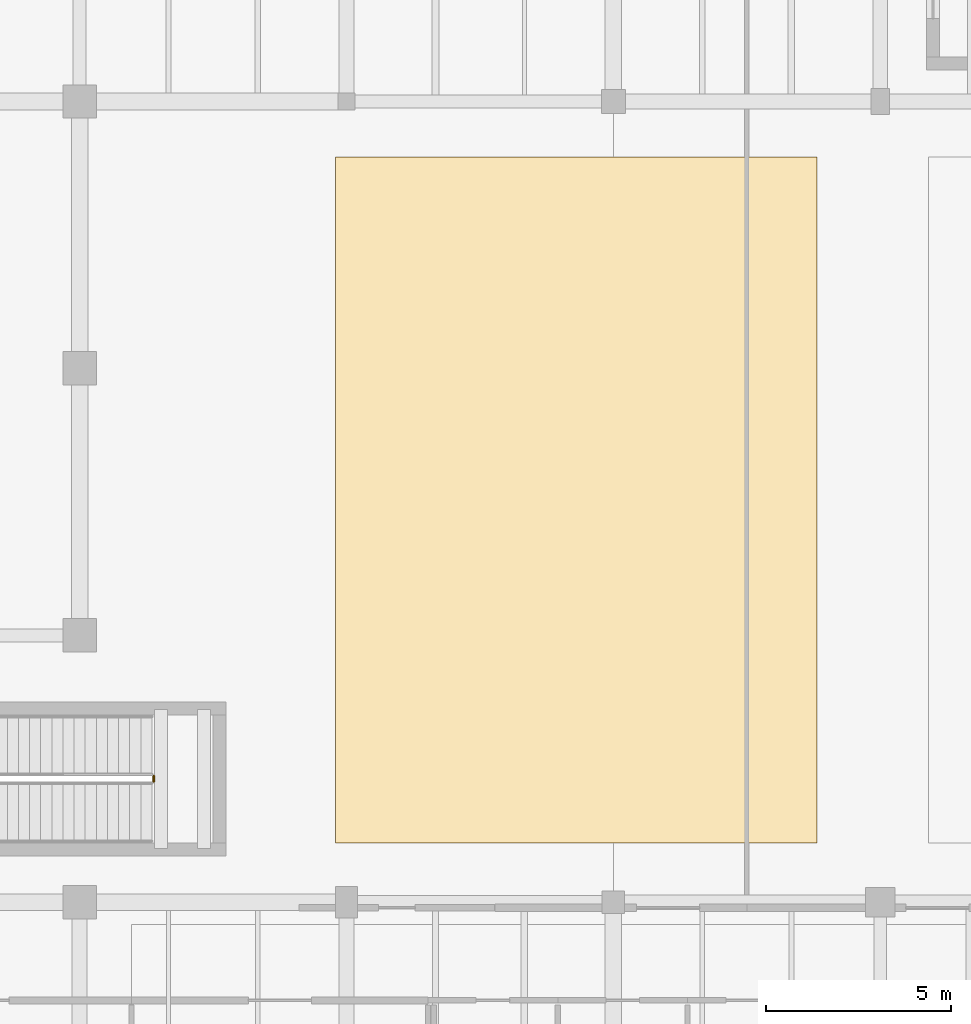
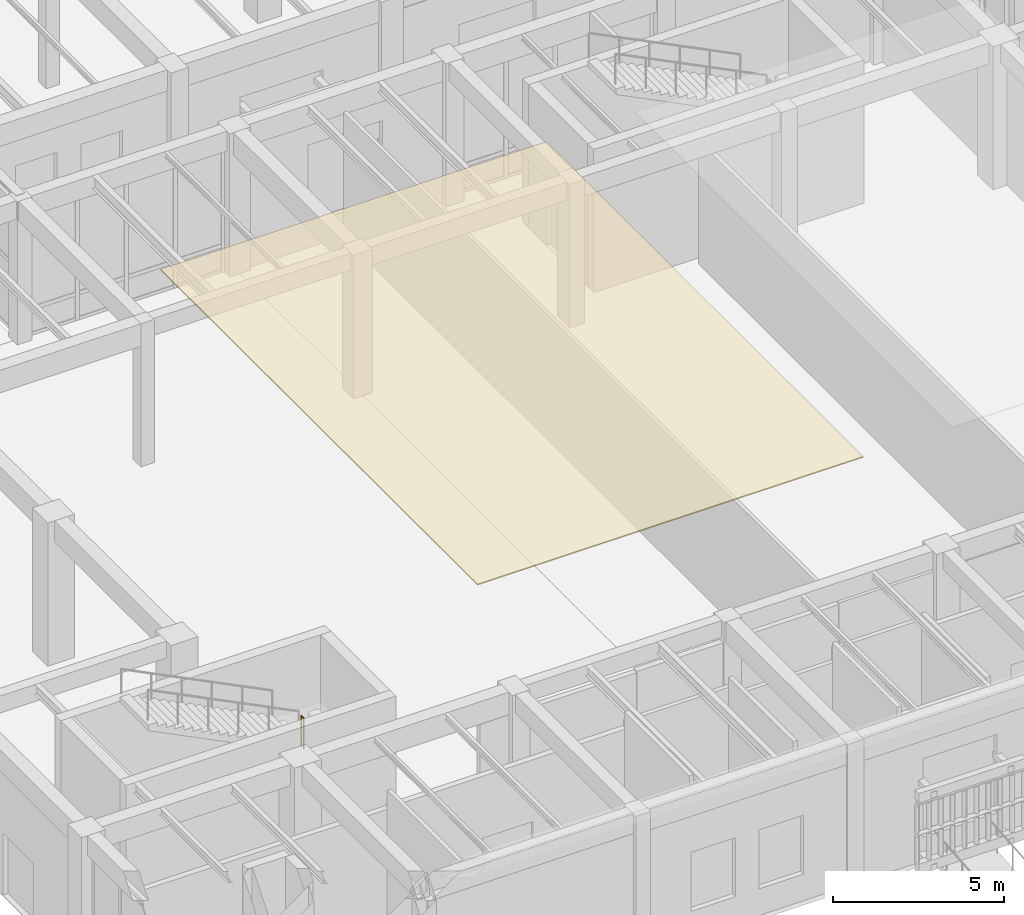
# One storey, part 160 of 169: 1 covering, 1 railing.
"""IFC4 building model written with IfcOpenShell, lengths in metres."""

from ifc_helpers import new_model, si_unit, direction, frame, origin, origin_2d, place, context, subcontext, project, spatial, polyline, circle, outline, extrude, material, layer, layer_set, type_object, element, save


model = new_model("IFC4")

# Units and contexts
model_context = context("Model", 3, precision=1e-05, world=origin(), true_north=direction((0.0, 1.0)))
body_context = subcontext(model_context, "Body", "Model", "MODEL_VIEW")
ifc_project = project(units=[si_unit("LENGTHUNIT", "METRE"), si_unit("AREAUNIT", "SQUARE_METRE"), si_unit("VOLUMEUNIT", "CUBIC_METRE"), si_unit("PLANEANGLEUNIT", "RADIAN"), si_unit("MASSUNIT", "GRAM", prefix="KILO")], contexts=[model_context])

# Site, building, storey
site_placement = place(None, origin())
site = spatial("IfcSite", under=ifc_project, at=site_placement, CompositionType="ELEMENT")
building_placement = place(site_placement, origin())
building = spatial("IfcBuilding", under=site, at=building_placement, Name="Mazaris Harbour Polytechnic", CompositionType="ELEMENT")
storey_placement = place(building_placement, origin())
storey = spatial("IfcBuildingStorey", under=building, at=storey_placement, Name="L00", CompositionType="ELEMENT", Elevation=0.0)

# Covering
ifc_material_1 = material(Name="Glulam Acoustic Timber Slat", Category="wood")
ifc_layer = layer(ifc_material_1, 0.0400390625, Name="Glulam Acoustic Timber Slat")
ifc_layer_set = layer_set([ifc_layer], Name="Glulam Acoustic Timber Slat")
covering_type = type_object("IfcCoveringType", Name="Acoustic Perforated Timber Ceiling 40", PredefinedType="CEILING", material=ifc_layer_set)
covering_placement = place(storey_placement, frame((0.0, 0.0, 7.800048828125)))
element("IfcCovering", 1, at=covering_placement, inside=storey, type_object=covering_type, Name="Covering COV-CE-01", PredefinedType="CEILING", context=body_context, shape_type="SweptSolid", body=[
    extrude(outline(polyline([(136.5, 16.0), (149.5, 16.0), (149.5, 34.5), (136.5, 34.5), (136.5, 16.0)])), origin(), (0.0, 0.0, 1.0), 0.0400390625),
])

# Railing
ifc_material_2 = material(Name="Steel S355", Category="steel")
railing_type = type_object("IfcRailingType", Name="Stair Well Guardrail 1100", PredefinedType="GUARDRAIL", material=ifc_material_2)
railing_placement = place(storey_placement, frame((131.60009765625, 17.64990234375, 2.699951171875)))
element("IfcRailing", 2, at=railing_placement, inside=storey, type_object=railing_type, Name="L00 ST03 stair guard 2", PredefinedType="GUARDRAIL", context=body_context, shape_type="SweptSolid", body=[
    extrude(circle(Radius=0.02392578125, at=origin_2d()), frame((0.0, 0.0, 1.076171875), z_axis=(0.0, 1.0, 0.0), x_axis=(-1.0, 0.0, 0.0)), (0.0, 0.0, 1.0), 0.150146484375),
    extrude(circle(Radius=0.02099609375, at=origin_2d()), origin(), (0.0, 0.0, 1.0), 1.052001953125),
    extrude(circle(Radius=0.02099609375, at=origin_2d()), frame((0.0, 0.150146484375, 0.0)), (0.0, 0.0, 1.0), 1.052001953125),
])

save(model, "model.ifc")
